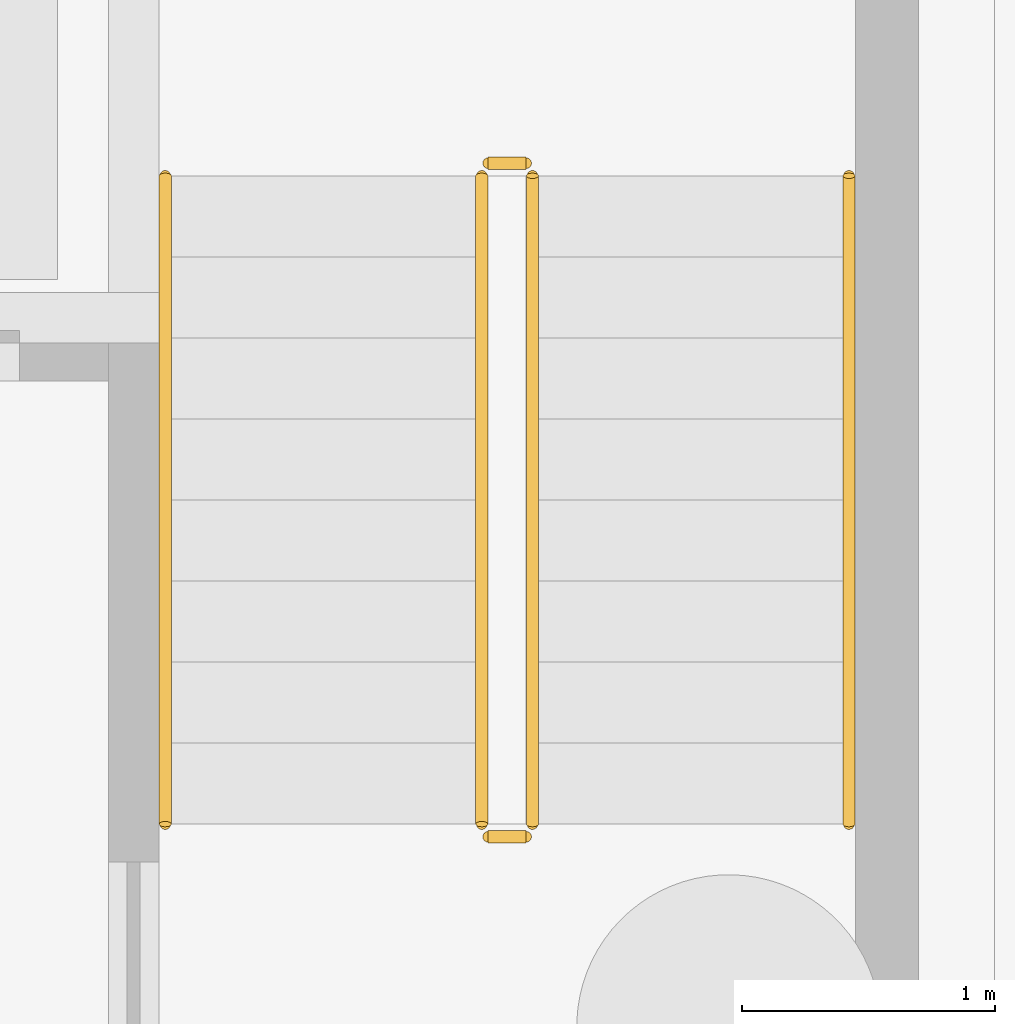
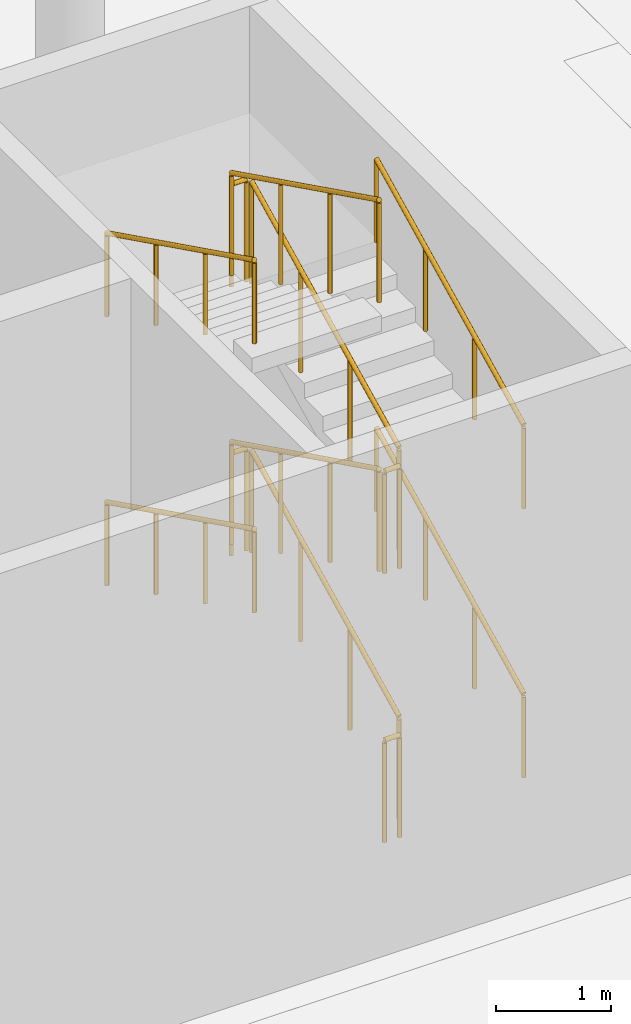
# One storey, part 34 of 38: 12 railings.
"""IFC4 building model written with IfcOpenShell, lengths in metres."""

from ifc_helpers import new_model, si_unit, direction, frame, origin, origin_2d, place, context, subcontext, project, spatial, circle, extrude, material, type_object, element, save


model = new_model("IFC4")

# Units and contexts
model_context = context("Model", 3, precision=1e-05, world=origin(), true_north=direction((0.0, 1.0)))
body_context = subcontext(model_context, "Body", "Model", "MODEL_VIEW")
ifc_project = project(units=[si_unit("LENGTHUNIT", "METRE"), si_unit("AREAUNIT", "SQUARE_METRE"), si_unit("VOLUMEUNIT", "CUBIC_METRE"), si_unit("PLANEANGLEUNIT", "RADIAN"), si_unit("MASSUNIT", "GRAM", prefix="KILO")], contexts=[model_context])

# Site, building, storey
site_placement = place(None, origin())
site = spatial("IfcSite", under=ifc_project, at=site_placement, CompositionType="ELEMENT")
building_placement = place(site_placement, origin())
building = spatial("IfcBuilding", under=site, at=building_placement, Name="Lantern Court Research Institute", CompositionType="ELEMENT")
storey_placement = place(building_placement, frame((0.0, 0.0, -5.699951171875)))
storey = spatial("IfcBuildingStorey", under=building, at=storey_placement, Name="B1", CompositionType="ELEMENT", Elevation=-5.699951171875)

# Railings
ifc_material_1 = material(Name="Structural steel S355", Category="steel")
railing_type_1 = type_object("IfcRailingType", Name="Stair guard 1100 steel", PredefinedType="GUARDRAIL", material=ifc_material_1)
railing_1_placement = place(storey_placement, frame((51.27490234375, 84.050048828125, 0.158203125)))
element("IfcRailing", 1, at=railing_1_placement, inside=storey, type_object=railing_type_1, Name="B1 ST-W2 stair guard 1", PredefinedType="GUARDRAIL", context=body_context, shape_type="SweptSolid", body=[
    extrude(circle(Radius=0.02392578125, at=origin_2d()), frame((0.0, 0.0, 1.076171875), z_axis=(0.0, 0.896265777717, 0.443517367974), x_axis=(-1.0, 0.0, 0.0)), (0.0, 0.0, 1.0), 2.8564453125),
    extrude(circle(Radius=0.02099609375, at=origin_2d()), origin(), (0.0, 0.0, 1.0), 1.052001953125),
    extrude(circle(Radius=0.02099609375, at=origin_2d()), frame((0.0, 0.853271484375, 0.42236328125)), (0.0, 0.0, 1.0), 1.052001953125),
    extrude(circle(Radius=0.02099609375, at=origin_2d()), frame((0.0, 1.706787109375, 0.844482421875)), (0.0, 0.0, 1.0), 1.052001953125),
    extrude(circle(Radius=0.02099609375, at=origin_2d()), frame((0.0, 2.56005859375, 1.266845703125)), (0.0, 0.0, 1.0), 1.052001953125),
])
railing_2_placement = place(storey_placement, frame((51.25, 86.659912109375, 1.425048828125)))
element("IfcRailing", 2, at=railing_2_placement, inside=storey, type_object=railing_type_1, Name="B1 ST-W2 stair guard 2", PredefinedType="GUARDRAIL", context=body_context, shape_type="SweptSolid", body=[
    extrude(circle(Radius=0.02392578125, at=origin_2d()), frame((0.0, 0.0, 1.076171875), z_axis=(-1.0, 0.0, 0.0), x_axis=(0.0, -1.0, 0.0)), (0.0, 0.0, 1.0), 0.14990234375),
    extrude(circle(Radius=0.02099609375, at=origin_2d()), origin(), (0.0, 0.0, 1.0), 1.052001953125),
    extrude(circle(Radius=0.02099609375, at=origin_2d()), frame((-0.14990234375, 0.0, 0.0)), (0.0, 0.0, 1.0), 1.052001953125),
])
railing_3_placement = place(storey_placement, frame((51.074951171875, 86.610107421875, 1.583251953125)))
element("IfcRailing", 3, at=railing_3_placement, inside=storey, type_object=railing_type_1, Name="B1 ST-W2 stair guard 3", PredefinedType="GUARDRAIL", context=body_context, shape_type="SweptSolid", body=[
    extrude(circle(Radius=0.02392578125, at=origin_2d()), frame((0.0, 0.0, 1.076171875), z_axis=(0.0, -0.896299752543, 0.443448704577), x_axis=(1.0, 0.0, 0.0)), (0.0, 0.0, 1.0), 2.856201171875),
    extrude(circle(Radius=0.02099609375, at=origin_2d()), origin(), (0.0, 0.0, 1.0), 1.052001953125),
    extrude(circle(Radius=0.02099609375, at=origin_2d()), frame((0.0, -0.853271484375, 0.422119140625)), (0.0, 0.0, 1.0), 1.052001953125),
    extrude(circle(Radius=0.02099609375, at=origin_2d()), frame((0.0, -1.706787109375, 0.844482421875)), (0.0, 0.0, 1.0), 1.052001953125),
    extrude(circle(Radius=0.02099609375, at=origin_2d()), frame((0.0, -2.56005859375, 1.2666015625)), (0.0, 0.0, 1.0), 1.052001953125),
])
railing_4_placement = place(storey_placement, frame((51.25, 84.0, 2.849853515625)))
element("IfcRailing", 4, at=railing_4_placement, inside=storey, type_object=railing_type_1, Name="B1 ST-W2 stair guard 4", PredefinedType="GUARDRAIL", context=body_context, shape_type="SweptSolid", body=[
    extrude(circle(Radius=0.02392578125, at=origin_2d()), frame((0.0, 0.0, 1.076171875), z_axis=(-1.0, 0.0, 0.0), x_axis=(0.0, -1.0, 0.0)), (0.0, 0.0, 1.0), 0.14990234375),
    extrude(circle(Radius=0.02099609375, at=origin_2d()), origin(), (0.0, 0.0, 1.0), 1.052001953125),
    extrude(circle(Radius=0.02099609375, at=origin_2d()), frame((-0.14990234375, 0.0, 0.0)), (0.0, 0.0, 1.0), 1.052001953125),
])
railing_5_placement = place(storey_placement, frame((51.27490234375, 84.050048828125, 3.00830078125)))
element("IfcRailing", 5, at=railing_5_placement, inside=storey, type_object=railing_type_1, Name="B1 ST-W2 stair guard 5", PredefinedType="GUARDRAIL", context=body_context, shape_type="SweptSolid", body=[
    extrude(circle(Radius=0.02392578125, at=origin_2d()), frame((0.0, 0.0, 1.076171875), z_axis=(0.0, 0.896299752543, 0.443448704577), x_axis=(-1.0, 0.0, 0.0)), (0.0, 0.0, 1.0), 2.856201171875),
    extrude(circle(Radius=0.02099609375, at=origin_2d()), origin(), (0.0, 0.0, 1.0), 1.052001953125),
    extrude(circle(Radius=0.02099609375, at=origin_2d()), frame((0.0, 0.853271484375, 0.422119140625)), (0.0, 0.0, 1.0), 1.052001953125),
    extrude(circle(Radius=0.02099609375, at=origin_2d()), frame((0.0, 1.706787109375, 0.844482421875)), (0.0, 0.0, 1.0), 1.052001953125),
    extrude(circle(Radius=0.02099609375, at=origin_2d()), frame((0.0, 2.56005859375, 1.2666015625)), (0.0, 0.0, 1.0), 1.052001953125),
])
railing_6_placement = place(storey_placement, frame((51.25, 86.659912109375, 4.27490234375)))
element("IfcRailing", 6, at=railing_6_placement, inside=storey, type_object=railing_type_1, Name="B1 ST-W2 stair guard 6", PredefinedType="GUARDRAIL", context=body_context, shape_type="SweptSolid", body=[
    extrude(circle(Radius=0.02392578125, at=origin_2d()), frame((0.0, 0.0, 1.076171875), z_axis=(-1.0, 0.0, 0.0), x_axis=(0.0, -1.0, 0.0)), (0.0, 0.0, 1.0), 0.14990234375),
    extrude(circle(Radius=0.02099609375, at=origin_2d()), origin(), (0.0, 0.0, 1.0), 1.052001953125),
    extrude(circle(Radius=0.02099609375, at=origin_2d()), frame((-0.14990234375, 0.0, 0.0)), (0.0, 0.0, 1.0), 1.052001953125),
])
railing_7_placement = place(storey_placement, frame((51.074951171875, 86.610107421875, 4.433349609375)))
element("IfcRailing", 7, at=railing_7_placement, inside=storey, type_object=railing_type_1, Name="B1 ST-W2 stair guard 7", PredefinedType="GUARDRAIL", context=body_context, shape_type="SweptSolid", body=[
    extrude(circle(Radius=0.02392578125, at=origin_2d()), frame((0.0, 0.0, 1.076171875), z_axis=(0.0, -0.896299752543, 0.443448704577), x_axis=(1.0, 0.0, 0.0)), (0.0, 0.0, 1.0), 2.856201171875),
    extrude(circle(Radius=0.02099609375, at=origin_2d()), origin(), (0.0, 0.0, 1.0), 1.052001953125),
    extrude(circle(Radius=0.02099609375, at=origin_2d()), frame((0.0, -0.853271484375, 0.422119140625)), (0.0, 0.0, 1.0), 1.052001953125),
    extrude(circle(Radius=0.02099609375, at=origin_2d()), frame((0.0, -1.706787109375, 0.844482421875)), (0.0, 0.0, 1.0), 1.052001953125),
    extrude(circle(Radius=0.02099609375, at=origin_2d()), frame((0.0, -2.56005859375, 1.2666015625)), (0.0, 0.0, 1.0), 1.052001953125),
])
railing_8_placement = place(storey_placement, frame((51.25, 84.0, 0.0)))
element("IfcRailing", 8, at=railing_8_placement, inside=storey, type_object=railing_type_1, Name="B1 ST-W2 stair guard 8", PredefinedType="GUARDRAIL", context=body_context, shape_type="SweptSolid", body=[
    extrude(circle(Radius=0.02392578125, at=origin_2d()), frame((0.0, 0.0, 1.076171875), z_axis=(-1.0, 0.0, 0.0), x_axis=(0.0, -1.0, 0.0)), (0.0, 0.0, 1.0), 0.14990234375),
    extrude(circle(Radius=0.02099609375, at=origin_2d()), origin(), (0.0, 0.0, 1.0), 1.052001953125),
    extrude(circle(Radius=0.02099609375, at=origin_2d()), frame((-0.14990234375, 0.0, 0.0)), (0.0, 0.0, 1.0), 1.052001953125),
])
ifc_material_2 = material(Name="Stainless steel 316", Category="steel")
railing_type_2 = type_object("IfcRailingType", Name="Stair handrail 900 steel", PredefinedType="HANDRAIL", material=ifc_material_2)
railing_9_placement = place(storey_placement, frame((52.52490234375, 84.050048828125, 0.158203125)))
element("IfcRailing", 9, at=railing_9_placement, inside=storey, type_object=railing_type_2, Name="B1 ST-W2 stair handrail 1", PredefinedType="HANDRAIL", context=body_context, shape_type="SweptSolid", body=[
    extrude(circle(Radius=0.02392578125, at=origin_2d()), frame((0.0, 0.0, 0.8759765625), z_axis=(0.0, 0.896265777717, 0.443517367974), x_axis=(-1.0, 0.0, 0.0)), (0.0, 0.0, 1.0), 2.8564453125),
    extrude(circle(Radius=0.02099609375, at=origin_2d()), origin(), (0.0, 0.0, 1.0), 0.851806640625),
    extrude(circle(Radius=0.02099609375, at=origin_2d()), frame((0.0, 0.853271484375, 0.42236328125)), (0.0, 0.0, 1.0), 0.851806640625),
    extrude(circle(Radius=0.02099609375, at=origin_2d()), frame((0.0, 1.706787109375, 0.844482421875)), (0.0, 0.0, 1.0), 0.851806640625),
    extrude(circle(Radius=0.02099609375, at=origin_2d()), frame((0.0, 2.56005859375, 1.266845703125)), (0.0, 0.0, 1.0), 0.851806640625),
])
railing_10_placement = place(storey_placement, frame((49.824951171875, 86.610107421875, 1.583251953125)))
element("IfcRailing", 10, at=railing_10_placement, inside=storey, type_object=railing_type_2, Name="B1 ST-W2 stair handrail 2", PredefinedType="HANDRAIL", context=body_context, shape_type="SweptSolid", body=[
    extrude(circle(Radius=0.02392578125, at=origin_2d()), frame((0.0, 0.0, 0.8759765625), z_axis=(0.0, -0.896299752543, 0.443448704577), x_axis=(1.0, 0.0, 0.0)), (0.0, 0.0, 1.0), 2.856201171875),
    extrude(circle(Radius=0.02099609375, at=origin_2d()), origin(), (0.0, 0.0, 1.0), 0.851806640625),
    extrude(circle(Radius=0.02099609375, at=origin_2d()), frame((0.0, -0.853271484375, 0.422119140625)), (0.0, 0.0, 1.0), 0.851806640625),
    extrude(circle(Radius=0.02099609375, at=origin_2d()), frame((0.0, -1.706787109375, 0.844482421875)), (0.0, 0.0, 1.0), 0.851806640625),
    extrude(circle(Radius=0.02099609375, at=origin_2d()), frame((0.0, -2.56005859375, 1.2666015625)), (0.0, 0.0, 1.0), 0.851806640625),
])
railing_11_placement = place(storey_placement, frame((52.52490234375, 84.050048828125, 3.00830078125)))
element("IfcRailing", 11, at=railing_11_placement, inside=storey, type_object=railing_type_2, Name="B1 ST-W2 stair handrail 3", PredefinedType="HANDRAIL", context=body_context, shape_type="SweptSolid", body=[
    extrude(circle(Radius=0.02392578125, at=origin_2d()), frame((0.0, 0.0, 0.8759765625), z_axis=(0.0, 0.896299752543, 0.443448704577), x_axis=(-1.0, 0.0, 0.0)), (0.0, 0.0, 1.0), 2.856201171875),
    extrude(circle(Radius=0.02099609375, at=origin_2d()), origin(), (0.0, 0.0, 1.0), 0.851806640625),
    extrude(circle(Radius=0.02099609375, at=origin_2d()), frame((0.0, 0.853271484375, 0.422119140625)), (0.0, 0.0, 1.0), 0.851806640625),
    extrude(circle(Radius=0.02099609375, at=origin_2d()), frame((0.0, 1.706787109375, 0.844482421875)), (0.0, 0.0, 1.0), 0.851806640625),
    extrude(circle(Radius=0.02099609375, at=origin_2d()), frame((0.0, 2.56005859375, 1.2666015625)), (0.0, 0.0, 1.0), 0.851806640625),
])
railing_12_placement = place(storey_placement, frame((49.824951171875, 86.610107421875, 4.433349609375)))
element("IfcRailing", 12, at=railing_12_placement, inside=storey, type_object=railing_type_2, Name="B1 ST-W2 stair handrail 4", PredefinedType="HANDRAIL", context=body_context, shape_type="SweptSolid", body=[
    extrude(circle(Radius=0.02392578125, at=origin_2d()), frame((0.0, 0.0, 0.8759765625), z_axis=(0.0, -0.896299752543, 0.443448704577), x_axis=(1.0, 0.0, 0.0)), (0.0, 0.0, 1.0), 2.856201171875),
    extrude(circle(Radius=0.02099609375, at=origin_2d()), origin(), (0.0, 0.0, 1.0), 0.851806640625),
    extrude(circle(Radius=0.02099609375, at=origin_2d()), frame((0.0, -0.853271484375, 0.422119140625)), (0.0, 0.0, 1.0), 0.851806640625),
    extrude(circle(Radius=0.02099609375, at=origin_2d()), frame((0.0, -1.706787109375, 0.844482421875)), (0.0, 0.0, 1.0), 0.851806640625),
    extrude(circle(Radius=0.02099609375, at=origin_2d()), frame((0.0, -2.56005859375, 1.2666015625)), (0.0, 0.0, 1.0), 0.851806640625),
])

save(model, "model.ifc")
